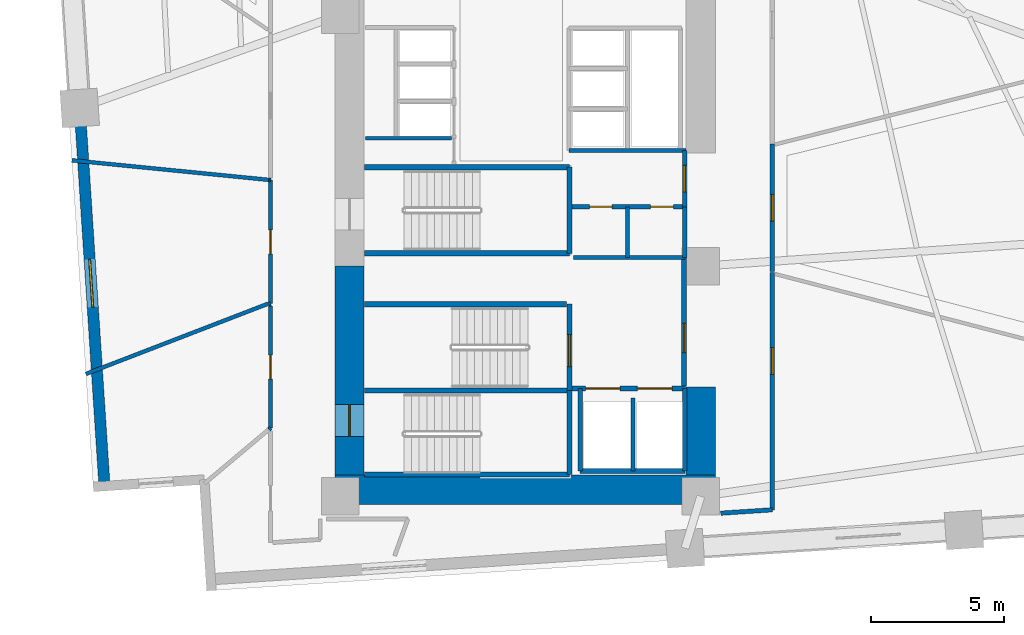
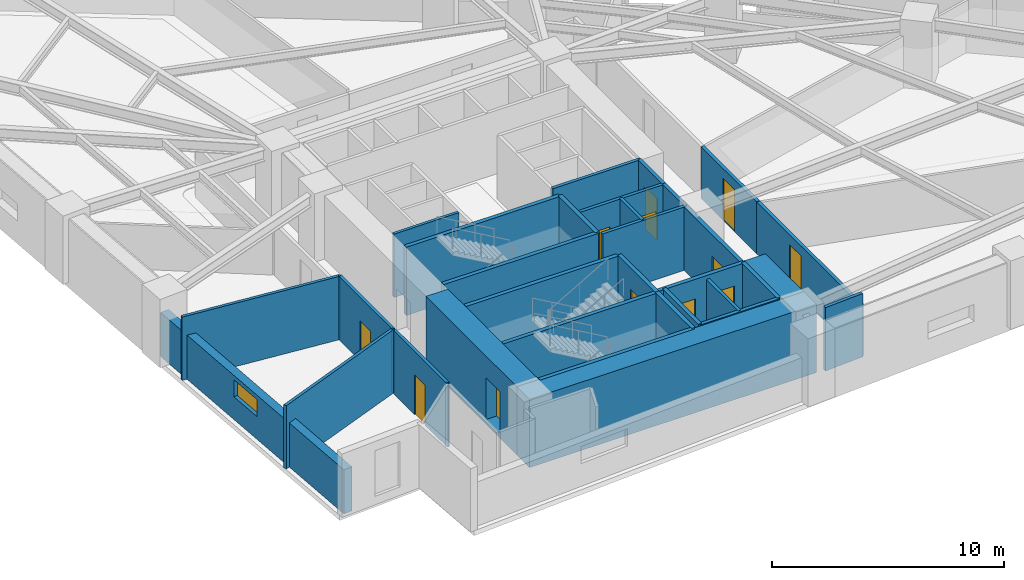
# One storey, part 12 of 16: 35 walls, 12 doors, 1 window, 13 openings.
"""IFC4 building model written with IfcOpenShell, lengths in metres."""

from ifc_helpers import new_model, si_unit, direction, frame, frame_2d, origin, place, context, subcontext, project, spatial, rectangle, extrude, material, layer, layer_set, type_object, element, fill, save


model = new_model("IFC4")

# Units and contexts
model_context = context("Model", 3, precision=1e-05, world=origin(), true_north=direction((0.0, 1.0)))
body_context = subcontext(model_context, "Body", "Model", "MODEL_VIEW")
ifc_project = project(units=[si_unit("LENGTHUNIT", "METRE"), si_unit("AREAUNIT", "SQUARE_METRE"), si_unit("VOLUMEUNIT", "CUBIC_METRE"), si_unit("PLANEANGLEUNIT", "RADIAN"), si_unit("MASSUNIT", "GRAM", prefix="KILO")], contexts=[model_context])

# Site, building, storey
site_placement = place(None, origin())
site = spatial("IfcSite", under=ifc_project, at=site_placement, CompositionType="ELEMENT")
building_placement = place(site_placement, origin())
building = spatial("IfcBuilding", under=site, at=building_placement, Name="Narakoshi Arena Tower", CompositionType="ELEMENT")
storey_placement = place(building_placement, frame((0.0, 0.0, 66.89990234375)))
storey = spatial("IfcBuildingStorey", under=building, at=storey_placement, Name="L17", CompositionType="ELEMENT", Elevation=66.89990234375)

# Wall, opening, door
ifc_material_1 = material(Name="Concrete C60/75", Category="concrete")
ifc_layer_1 = layer(ifc_material_1, 1.10009765625)
ifc_layer_set_1 = layer_set([ifc_layer_1], Name="Concrete C60/75")
wall_type_1 = type_object("IfcWallType", Name="WL-CORE-1100", PredefinedType="SHEAR", material=ifc_layer_set_1)
wall_1_placement = place(storey_placement, frame((72.35009765625, 35.5, -0.260009765625), z_axis=(0.0, 0.0, 1.0), x_axis=(0.0, 1.0, 0.0)))
wall_1 = element("IfcWall", 1, at=wall_1_placement, inside=storey, type_object=wall_type_1, Name="L17 Central Core Shear Wall CW-APX-W", PredefinedType="SHEAR", context=body_context, shape_type="SweptSolid", body=[
    extrude(rectangle(XDim=7.85009765625, YDim=1.10009765625, at=frame_2d((3.925048828125, 0.0))), origin(), (0.0, 0.0, 1.0), 3.60009765625),
])
opening_1_placement = place(wall_1_placement, frame((1.449951171875, 0.0, 0.260009765625)))
opening_1 = element("IfcOpeningElement", 2, at=opening_1_placement, cuts=wall_1, Name="Opening D-03", PredefinedType="OPENING", context=body_context, shape_type="SweptSolid", body=[
    extrude(rectangle(XDim=1.199951171875, YDim=2.199951171875, at=frame_2d((0.60009765625, 1.10009765625))), frame((0.0, 0.56005859375, 0.0), z_axis=(0.0, -1.0, 0.0), x_axis=(1.0, 0.0, 0.0)), (0.0, 0.0, 1.0), 1.1201171875),
])
ifc_material_2 = material(Name="Painted galvanized steel", Category="steel")
door_type_1 = type_object("IfcDoorType", Name="DR-STR-1200", OperationType="NOTDEFINED", PredefinedType="USERDEFINED", material=ifc_material_2)
door_1_placement = place(opening_1_placement, frame((1.199951171875, 0.0, 0.0), z_axis=(0.0, 0.0, 1.0), x_axis=(-1.0, 0.0, 0.0)))
door_1 = element("IfcDoor", 3, at=door_1_placement, inside=storey, type_object=door_type_1, Name="DR-L17-001", ObjectType="EXITDOOR", OperationType="SINGLE_SWING_LEFT", OverallHeight=2.199951171875, OverallWidth=1.199951171875, PredefinedType="USERDEFINED", context=body_context, shape_type="SweptSolid", body=[
    extrude(rectangle(XDim=1.199951171875, YDim=2.199951171875, at=frame_2d((0.60009765625, 1.10009765625))), frame((0.0, 0.02490234375, 0.0), z_axis=(0.0, -1.0, 0.0), x_axis=(1.0, 0.0, 0.0)), (0.0, 0.0, 1.0), 0.050048828125),
])
fill(opening_1, door_1)

# Walls
wall_2_placement = place(storey_placement, frame((71.800048828125, 34.949951171875, -0.260009765625), z_axis=(0.0, 0.0, 1.0), x_axis=(1.0, 0.0, 0.0)))
element("IfcWall", 4, at=wall_2_placement, inside=storey, type_object=wall_type_1, Name="L17 Central Core Shear Wall CW-APX-S", PredefinedType="SHEAR", context=body_context, shape_type="SweptSolid", body=[
    extrude(rectangle(XDim=14.300048828125, YDim=1.10009765625, at=frame_2d((7.14990234375, 0.0))), origin(), (0.0, 0.0, 1.0), 3.60009765625),
])
wall_3_placement = place(storey_placement, frame((85.550048828125, 35.5, -0.260009765625), z_axis=(0.0, 0.0, 1.0), x_axis=(0.0, 1.0, 0.0)))
element("IfcWall", 5, at=wall_3_placement, inside=storey, type_object=wall_type_1, Name="L17 Central Core Shear Wall CW-APX-E", PredefinedType="SHEAR", context=body_context, shape_type="SweptSolid", body=[
    extrude(rectangle(XDim=3.300048828125, YDim=1.10009765625, at=frame_2d((1.64990234375, 0.0))), origin(), (0.0, 0.0, 1.0), 3.60009765625),
])

# Wall, opening, door
ifc_material_3 = material(Name="Gypsum plasterboard fire-rated partition")
ifc_layer_2 = layer(ifc_material_3, 0.1650390625)
ifc_layer_set_2 = layer_set([ifc_layer_2], Name="Gypsum plasterboard fire-rated partition")
wall_type_2 = type_object("IfcWallType", Name="WL-CORR-165", PredefinedType="PARTITIONING", material=ifc_layer_set_2)
wall_4_placement = place(storey_placement, frame((84.949951171875, 45.580078125, 0.0), z_axis=(0.0, 0.0, 1.0), x_axis=(0.0, 1.0, 0.0)))
wall_4 = element("IfcWall", 6, at=wall_4_placement, inside=storey, type_object=wall_type_2, Name="L17 Core Wall CPAS-E", PredefinedType="PARTITIONING", context=body_context, shape_type="SweptSolid", body=[
    extrude(rectangle(XDim=2.119873046875, YDim=0.1650390625, at=frame_2d((1.06005859375, 0.0))), origin(), (0.0, 0.0, 1.0), 3.340087890625),
])
opening_2_placement = place(wall_4_placement, frame((0.56005859375, 0.0, 0.0)))
opening_2 = element("IfcOpeningElement", 7, at=opening_2_placement, cuts=wall_4, Name="Opening D-06", PredefinedType="OPENING", context=body_context, shape_type="SweptSolid", body=[
    extrude(rectangle(XDim=1.0, YDim=2.199951171875, at=frame_2d((0.5, 1.10009765625))), frame((0.0, 0.092529296875, 0.0), z_axis=(0.0, -1.0, 0.0), x_axis=(1.0, 0.0, 0.0)), (0.0, 0.0, 1.0), 0.18505859375),
])
ifc_material_4 = material(Name="Stained oak solid-core timber", Category="wood")
door_type_2 = type_object("IfcDoorType", Name="DR-OFF-1000", OperationType="NOTDEFINED", PredefinedType="DOOR", material=ifc_material_4)
door_2_placement = place(opening_2_placement, frame((1.0, 0.0, 0.0), z_axis=(0.0, 0.0, 1.0), x_axis=(-1.0, 0.0, 0.0)))
door_2 = element("IfcDoor", 8, at=door_2_placement, inside=storey, type_object=door_type_2, Name="DR-L17-007", OperationType="SINGLE_SWING_LEFT", OverallHeight=2.199951171875, OverallWidth=1.0, PredefinedType="DOOR", context=body_context, shape_type="SweptSolid", body=[
    extrude(rectangle(XDim=1.0, YDim=2.199951171875, at=frame_2d((0.5, 1.10009765625))), frame((0.0, 0.02490234375, 0.0), z_axis=(0.0, -1.0, 0.0), x_axis=(1.0, 0.0, 0.0)), (0.0, 0.0, 1.0), 0.050048828125),
])
fill(opening_2, door_2)

wall_5_placement = place(storey_placement, frame((88.237548828125, 34.193603515625, 0.0), z_axis=(0.0, 0.0, 1.0), x_axis=(0.0, 1.0, 0.0)))
wall_5 = element("IfcWall", 9, at=wall_5_placement, inside=storey, type_object=wall_type_2, Name="L17 Corridor Partition 04-1", PredefinedType="PARTITIONING", context=body_context, shape_type="SweptSolid", body=[
    extrude(rectangle(XDim=8.927001953125, YDim=0.1650390625, at=frame_2d((4.46337890625, 0.0))), origin(), (0.0, 0.0, 1.0), 2.72509765625),
])
opening_3_placement = place(wall_5_placement, frame((5.092529296875, 0.0, 0.0)))
opening_3 = element("IfcOpeningElement", 10, at=opening_3_placement, cuts=wall_5, Name="Opening D-06", PredefinedType="OPENING", context=body_context, shape_type="SweptSolid", body=[
    extrude(rectangle(XDim=1.0, YDim=2.199951171875, at=frame_2d((0.5, 1.10009765625))), frame((0.0, 0.092529296875, 0.0), z_axis=(0.0, -1.0, 0.0), x_axis=(1.0, 0.0, 0.0)), (0.0, 0.0, 1.0), 0.18505859375),
])
door_3_placement = place(opening_3_placement, frame((1.0, 0.0, 0.0), z_axis=(0.0, 0.0, 1.0), x_axis=(-1.0, 0.0, 0.0)))
door_3 = element("IfcDoor", 11, at=door_3_placement, inside=storey, type_object=door_type_2, Name="DR-L17-017", OperationType="SINGLE_SWING_RIGHT", OverallHeight=2.199951171875, OverallWidth=1.0, PredefinedType="DOOR", context=body_context, shape_type="SweptSolid", body=[
    extrude(rectangle(XDim=1.0, YDim=2.199951171875, at=frame_2d((0.5, 1.10009765625))), frame((0.0, 0.02490234375, 0.0), z_axis=(0.0, -1.0, 0.0), x_axis=(1.0, 0.0, 0.0)), (0.0, 0.0, 1.0), 0.050048828125),
])
fill(opening_3, door_3)

# Wall
wall_6_placement = place(storey_placement, frame((86.300048828125, 34.066650390625, 0.0), z_axis=(0.0, 0.0, 1.0), x_axis=(0.997860177936, 0.065383983433, 0.0)))
element("IfcWall", 12, at=wall_6_placement, inside=storey, type_object=wall_type_2, Name="L17 Corridor Partition 04-2", PredefinedType="PARTITIONING", context=body_context, shape_type="SweptSolid", body=[
    extrude(rectangle(XDim=1.941650390625, YDim=0.1650390625, at=frame_2d((0.970703125, 0.0))), origin(), (0.0, 0.0, 1.0), 3.340087890625),
])

# Wall, opening, door
wall_7_placement = place(storey_placement, frame((88.237548828125, 43.145263671875, 0.0), z_axis=(0.0, 0.0, 1.0), x_axis=(0.0, 1.0, 0.0)))
wall_7 = element("IfcWall", 13, at=wall_7_placement, inside=storey, type_object=wall_type_2, Name="L17 Corridor Partition 05-1", PredefinedType="PARTITIONING", context=body_context, shape_type="SweptSolid", body=[
    extrude(rectangle(XDim=4.78662109375, YDim=0.1650390625, at=frame_2d((2.393310546875, 0.0))), origin(), (0.0, 0.0, 1.0), 2.72509765625),
])
opening_4_placement = place(wall_7_placement, frame((1.893310546875, 0.0, 0.0)))
opening_4 = element("IfcOpeningElement", 14, at=opening_4_placement, cuts=wall_7, Name="Opening D-06", PredefinedType="OPENING", context=body_context, shape_type="SweptSolid", body=[
    extrude(rectangle(XDim=1.0, YDim=2.199951171875, at=frame_2d((0.5, 1.10009765625))), frame((0.0, 0.092529296875, 0.0), z_axis=(0.0, -1.0, 0.0), x_axis=(1.0, 0.0, 0.0)), (0.0, 0.0, 1.0), 0.18505859375),
])
door_4_placement = place(opening_4_placement, frame((1.0, 0.0, 0.0), z_axis=(0.0, 0.0, 1.0), x_axis=(-1.0, 0.0, 0.0)))
door_4 = element("IfcDoor", 15, at=door_4_placement, inside=storey, type_object=door_type_2, Name="DR-L17-018", OperationType="SINGLE_SWING_LEFT", OverallHeight=2.199951171875, OverallWidth=1.0, PredefinedType="DOOR", context=body_context, shape_type="SweptSolid", body=[
    extrude(rectangle(XDim=1.0, YDim=2.199951171875, at=frame_2d((0.5, 1.10009765625))), frame((0.0, 0.02490234375, 0.0), z_axis=(0.0, -1.0, 0.0), x_axis=(1.0, 0.0, 0.0)), (0.0, 0.0, 1.0), 0.050048828125),
])
fill(opening_4, door_4)

# Wall, opening, window
ifc_material_5 = material(Name="Precast concrete C45/55", Category="concrete")
ifc_layer_3 = layer(ifc_material_5, 0.419921875)
ifc_layer_set_3 = layer_set([ifc_layer_3], Name="Precast concrete C45/55")
wall_type_3 = type_object("IfcWallType", Name="WL-POD-420", PredefinedType="SOLIDWALL", material=ifc_layer_set_3)
wall_8_placement = place(storey_placement, frame((62.210205078125, 49.294921875, 0.0), z_axis=(0.0, 0.0, 1.0), x_axis=(0.065396027757, -0.997859388668, 0.0)))
wall_8 = element("IfcWall", 16, at=wall_8_placement, inside=storey, type_object=wall_type_3, Name="L17 Architectural Concrete Facade Wall LEGB-3", PredefinedType="SOLIDWALL", context=body_context, shape_type="SweptSolid", body=[
    extrude(rectangle(XDim=14.242431640625, YDim=0.419921875, at=frame_2d((7.12109375, 0.0))), origin(), (0.0, 0.0, 1.0), 2.3251953125),
])
opening_5_placement = place(wall_8_placement, frame((5.699951171875, 0.0, 1.199951171875)))
opening_5 = element("IfcOpeningElement", 17, at=opening_5_placement, cuts=wall_8, Name="Opening WN-02", PredefinedType="OPENING", context=body_context, shape_type="SweptSolid", body=[
    extrude(rectangle(XDim=1.800048828125, YDim=0.89990234375, at=frame_2d((0.89990234375, 0.449951171875))), frame((0.0, 0.219970703125, 0.0), z_axis=(0.0, -1.0, 0.0), x_axis=(1.0, 0.0, 0.0)), (0.0, 0.0, 1.0), 0.43994140625),
])
ifc_material_6 = material(Name="Bronze-tinted low-E laminated glass", Category="glass")
window_type = type_object("IfcWindowType", Name="WIN-SLT-18x09", PartitioningType="SINGLE_PANEL", PredefinedType="WINDOW", material=ifc_material_6)
window_placement = place(opening_5_placement, origin())
window = element("IfcWindow", 18, at=window_placement, inside=storey, type_object=window_type, Name="L17 LEGB3 Horizontal Slot Window 1", OverallHeight=0.89990234375, OverallWidth=1.800048828125, PartitioningType="SINGLE_PANEL", PredefinedType="WINDOW", context=body_context, shape_type="SweptSolid", body=[
    extrude(rectangle(XDim=1.800048828125, YDim=0.89990234375, at=frame_2d((0.89990234375, 0.449951171875))), frame((0.0, 0.030029296875, 0.0), z_axis=(0.0, -1.0, 0.0), x_axis=(1.0, 0.0, 0.0)), (0.0, 0.0, 1.0), 0.06005859375),
])
fill(opening_5, window)

# Walls
ifc_material_7 = material(Name="Concrete C40/50", Category="concrete")
ifc_layer_4 = layer(ifc_material_7, 0.280029296875)
ifc_layer_set_4 = layer_set([ifc_layer_4], Name="Concrete C40/50")
wall_type_4 = type_object("IfcWallType", Name="WL-RISER-280", PredefinedType="PLUMBINGWALL", material=ifc_layer_set_4)
wall_9_placement = place(storey_placement, frame((83.0, 35.64990234375, 0.0), z_axis=(0.0, 0.0, 1.0), x_axis=(0.0, 1.0, 0.0)))
element("IfcWall", 19, at=wall_9_placement, inside=storey, type_object=wall_type_4, Name="L17 Core Wall FF-DIV", PredefinedType="PLUMBINGWALL", context=body_context, shape_type="SweptSolid", body=[
    extrude(rectangle(XDim=2.75, YDim=0.159912109375, at=frame_2d((1.375, 0.0))), origin(), (0.0, 0.0, 1.0), 3.340087890625),
])
wall_10_placement = place(storey_placement, frame((84.949951171875, 43.679931640625, 0.0), z_axis=(0.0, 0.0, 1.0), x_axis=(0.0, 1.0, 0.0)))
element("IfcWall", 20, at=wall_10_placement, inside=storey, type_object=wall_type_4, Name="L17 Core Wall RSR-E", PredefinedType="PLUMBINGWALL", context=body_context, shape_type="SweptSolid", body=[
    extrude(rectangle(XDim=1.900146484375, YDim=0.1650390625, at=frame_2d((0.9501953125, 0.0))), origin(), (0.0, 0.0, 1.0), 3.340087890625),
])

# Wall, openings, doors
wall_11_placement = place(storey_placement, frame((80.719970703125, 45.580078125, 0.0), z_axis=(0.0, 0.0, 1.0), x_axis=(1.0, 0.0, 0.0)))
wall_11 = element("IfcWall", 21, at=wall_11_placement, inside=storey, type_object=wall_type_4, Name="L17 Core Wall RSR-N", PredefinedType="PLUMBINGWALL", context=body_context, shape_type="SweptSolid", body=[
    extrude(rectangle(XDim=4.22998046875, YDim=0.159912109375, at=frame_2d((2.114990234375, 0.0))), origin(), (0.0, 0.0, 1.0), 3.340087890625),
])
opening_6_placement = place(wall_11_placement, frame((0.64990234375, 0.0, 0.0)))
opening_6 = element("IfcOpeningElement", 22, at=opening_6_placement, cuts=wall_11, Name="Opening D-10", PredefinedType="OPENING", context=body_context, shape_type="SweptSolid", body=[
    extrude(rectangle(XDim=0.85009765625, YDim=2.050048828125, at=frame_2d((0.425048828125, 1.02490234375))), frame((0.0, 0.08984375, 0.0), z_axis=(0.0, -1.0, 0.0), x_axis=(1.0, 0.0, 0.0)), (0.0, 0.0, 1.0), 0.179931640625),
])
opening_7_placement = place(wall_11_placement, frame((2.949951171875, 0.0, 0.0)))
opening_7 = element("IfcOpeningElement", 23, at=opening_7_placement, cuts=wall_11, Name="Opening D-10", PredefinedType="OPENING", context=body_context, shape_type="SweptSolid", body=[
    extrude(rectangle(XDim=0.85009765625, YDim=2.050048828125, at=frame_2d((0.425048828125, 1.02490234375))), frame((0.0, 0.08984375, 0.0), z_axis=(0.0, -1.0, 0.0), x_axis=(1.0, 0.0, 0.0)), (0.0, 0.0, 1.0), 0.179931640625),
])
door_type_3 = type_object("IfcDoorType", Name="DR-RSR-850", OperationType="NOTDEFINED", PredefinedType="DOOR", material=ifc_material_2)
door_5_placement = place(opening_6_placement, frame((0.85009765625, 0.0, 0.0), z_axis=(0.0, 0.0, 1.0), x_axis=(-1.0, 0.0, 0.0)))
door_5 = element("IfcDoor", 24, at=door_5_placement, inside=storey, type_object=door_type_3, Name="DR-L17-008", OperationType="SINGLE_SWING_LEFT", OverallHeight=2.050048828125, OverallWidth=0.85009765625, PredefinedType="DOOR", context=body_context, shape_type="SweptSolid", body=[
    extrude(rectangle(XDim=0.85009765625, YDim=2.050048828125, at=frame_2d((0.425048828125, 1.02490234375))), frame((0.0, 0.02490234375, 0.0), z_axis=(0.0, -1.0, 0.0), x_axis=(1.0, 0.0, 0.0)), (0.0, 0.0, 1.0), 0.050048828125),
])
fill(opening_6, door_5)
door_6_placement = place(opening_7_placement, frame((0.85009765625, 0.0, 0.0), z_axis=(0.0, 0.0, 1.0), x_axis=(-1.0, 0.0, 0.0)))
door_6 = element("IfcDoor", 25, at=door_6_placement, inside=storey, type_object=door_type_3, Name="DR-L17-009", OperationType="SINGLE_SWING_RIGHT", OverallHeight=2.050048828125, OverallWidth=0.85009765625, PredefinedType="DOOR", context=body_context, shape_type="SweptSolid", body=[
    extrude(rectangle(XDim=0.85009765625, YDim=2.050048828125, at=frame_2d((0.425048828125, 1.02490234375))), frame((0.0, 0.02490234375, 0.0), z_axis=(0.0, -1.0, 0.0), x_axis=(1.0, 0.0, 0.0)), (0.0, 0.0, 1.0), 0.050048828125),
])
fill(opening_7, door_6)

# Walls
wall_12_placement = place(storey_placement, frame((80.760009765625, 43.679931640625, 0.0), z_axis=(0.0, 0.0, 1.0), x_axis=(1.0, 0.0, 0.0)))
element("IfcWall", 26, at=wall_12_placement, inside=storey, type_object=wall_type_4, Name="L17 Core Wall RSR-S", PredefinedType="PLUMBINGWALL", context=body_context, shape_type="SweptSolid", body=[
    extrude(rectangle(XDim=4.18994140625, YDim=0.159912109375, at=frame_2d((2.094970703125, 0.0))), origin(), (0.0, 0.0, 1.0), 3.340087890625),
])
wall_13_placement = place(storey_placement, frame((82.800048828125, 43.679931640625, 0.0), z_axis=(0.0, 0.0, 1.0), x_axis=(0.0, 1.0, 0.0)))
element("IfcWall", 27, at=wall_13_placement, inside=storey, type_object=wall_type_4, Name="L17 Core Wall RSR-M", PredefinedType="PLUMBINGWALL", context=body_context, shape_type="SweptSolid", body=[
    extrude(rectangle(XDim=1.900146484375, YDim=0.159912109375, at=frame_2d((0.9501953125, 0.0))), origin(), (0.0, 0.0, 1.0), 3.340087890625),
])
wall_14_placement = place(storey_placement, frame((72.949951171875, 48.159912109375, 0.0), z_axis=(0.0, 0.0, 1.0), x_axis=(1.0, 0.0, 0.0)))
element("IfcWall", 28, at=wall_14_placement, inside=storey, type_object=wall_type_4, Name="L17 Core Wall LR-S0", PredefinedType="PLUMBINGWALL", context=body_context, shape_type="SweptSolid", body=[
    extrude(rectangle(XDim=3.239990234375, YDim=0.139892578125, at=frame_2d((1.6201171875, 0.0))), origin(), (0.0, 0.0, 1.0), 3.340087890625),
])
ifc_material_8 = material(Name="Concrete C50/60", Category="concrete")
ifc_layer_5 = layer(ifc_material_8, 0.35009765625)
ifc_layer_set_5 = layer_set([ifc_layer_5], Name="Concrete C50/60")
wall_type_5 = type_object("IfcWallType", Name="WL-SHAFT-350", PredefinedType="SOLIDWALL", material=ifc_layer_set_5)
for number, where, z_axis, x_axis, name in (
    (29, (72.919921875, 35.52001953125, -0.260009765625), (0.0, 0.0, 1.0), (1.0, 0.0, 0.0), "L17 Core Wall ST1-S"),
    (30, (72.919921875, 38.675048828125, -0.260009765625), (0.0, 0.0, 1.0), (1.0, 0.0, 0.0), "L17 Core Wall ST12-DIV"),
):
    element("IfcWall", number, at=place(storey_placement, frame(where, z_axis=z_axis, x_axis=x_axis)), inside=storey, type_object=wall_type_5, Name=name, PredefinedType="SOLIDWALL", context=body_context, shape_type="SweptSolid", body=[
        extrude(rectangle(XDim=7.7001953125, YDim=0.199951171875, at=frame_2d((3.85009765625, 0.0))), origin(), (0.0, 0.0, 1.0), 3.60009765625),
    ])
wall_15_placement = place(storey_placement, frame((80.6201171875, 35.52001953125, -0.260009765625), z_axis=(0.0, 0.0, 1.0), x_axis=(0.0, 1.0, 0.0)))
element("IfcWall", 31, at=wall_15_placement, inside=storey, type_object=wall_type_5, Name="L17 Core Wall ST1-E", PredefinedType="SOLIDWALL", context=body_context, shape_type="SweptSolid", body=[
    extrude(rectangle(XDim=3.155029296875, YDim=0.199951171875, at=frame_2d((1.57763671875, 0.0))), origin(), (0.0, 0.0, 1.0), 3.60009765625),
])

# Wall, opening, door
wall_16_placement = place(storey_placement, frame((80.6201171875, 38.675048828125, -0.260009765625), z_axis=(0.0, 0.0, 1.0), x_axis=(0.0, 1.0, 0.0)))
wall_16 = element("IfcWall", 32, at=wall_16_placement, inside=storey, type_object=wall_type_5, Name="L17 Core Wall ST2-E", PredefinedType="SOLIDWALL", context=body_context, shape_type="SweptSolid", body=[
    extrude(rectangle(XDim=3.244873046875, YDim=0.199951171875, at=frame_2d((1.62255859375, 0.0))), origin(), (0.0, 0.0, 1.0), 3.60009765625),
])
opening_8_placement = place(wall_16_placement, frame((0.89990234375, 0.0, 0.260009765625)))
opening_8 = element("IfcOpeningElement", 33, at=opening_8_placement, cuts=wall_16, Name="Opening D-03", PredefinedType="OPENING", context=body_context, shape_type="SweptSolid", body=[
    extrude(rectangle(XDim=1.199951171875, YDim=2.199951171875, at=frame_2d((0.60009765625, 1.10009765625))), frame((0.0, 0.10986328125, 0.0), z_axis=(0.0, -1.0, 0.0), x_axis=(1.0, 0.0, 0.0)), (0.0, 0.0, 1.0), 0.219970703125),
])
door_7_placement = place(opening_8_placement, origin())
door_7 = element("IfcDoor", 34, at=door_7_placement, inside=storey, type_object=door_type_1, Name="DR-L17-002", ObjectType="EXITDOOR", OperationType="SINGLE_SWING_RIGHT", OverallHeight=2.199951171875, OverallWidth=1.199951171875, PredefinedType="USERDEFINED", context=body_context, shape_type="SweptSolid", body=[
    extrude(rectangle(XDim=1.199951171875, YDim=2.199951171875, at=frame_2d((0.60009765625, 1.10009765625))), frame((0.0, 0.02490234375, 0.0), z_axis=(0.0, -1.0, 0.0), x_axis=(1.0, 0.0, 0.0)), (0.0, 0.0, 1.0), 0.050048828125),
])
fill(opening_8, door_7)

# Wall, openings, doors
wall_17_placement = place(storey_placement, frame((80.719970703125, 38.75, 0.0), z_axis=(0.0, 0.0, 1.0), x_axis=(1.0, 0.0, 0.0)))
wall_17 = element("IfcWall", 35, at=wall_17_placement, inside=storey, type_object=wall_type_5, Name="L17 Core Wall FF-N", PredefinedType="SOLIDWALL", context=body_context, shape_type="SweptSolid", body=[
    extrude(rectangle(XDim=4.260009765625, YDim=0.199951171875, at=frame_2d((2.1298828125, 0.0))), origin(), (0.0, 0.0, 1.0), 3.340087890625),
])
opening_9_placement = place(wall_17_placement, frame((0.5, 0.0, 0.0)))
opening_9 = element("IfcOpeningElement", 36, at=opening_9_placement, cuts=wall_17, Name="Opening LD-02", PredefinedType="OPENING", context=body_context, shape_type="SweptSolid", body=[
    extrude(rectangle(XDim=1.300048828125, YDim=2.300048828125, at=frame_2d((0.64990234375, 1.14990234375))), frame((0.0, 0.10986328125, 0.0), z_axis=(0.0, -1.0, 0.0), x_axis=(1.0, 0.0, 0.0)), (0.0, 0.0, 1.0), 0.219970703125),
])
opening_10_placement = place(wall_17_placement, frame((2.449951171875, 0.0, 0.0)))
opening_10 = element("IfcOpeningElement", 37, at=opening_10_placement, cuts=wall_17, Name="Opening LD-02", PredefinedType="OPENING", context=body_context, shape_type="SweptSolid", body=[
    extrude(rectangle(XDim=1.300048828125, YDim=2.300048828125, at=frame_2d((0.64990234375, 1.14990234375))), frame((0.0, 0.10986328125, 0.0), z_axis=(0.0, -1.0, 0.0), x_axis=(1.0, 0.0, 0.0)), (0.0, 0.0, 1.0), 0.219970703125),
])
ifc_material_9 = material(Name="Brushed bronze stainless steel", Category="steel")
door_type_4 = type_object("IfcDoorType", Name="DR-LFT-1300", OperationType="DOUBLE_DOOR_SLIDING", PredefinedType="DOOR", material=ifc_material_9)
door_8_placement = place(opening_9_placement, origin())
door_8 = element("IfcDoor", 38, at=door_8_placement, inside=storey, type_object=door_type_4, Name="DR-L17-003", OperationType="DOUBLE_DOOR_SLIDING", OverallHeight=2.300048828125, OverallWidth=1.300048828125, PredefinedType="DOOR", context=body_context, shape_type="SweptSolid", body=[
    extrude(rectangle(XDim=1.300048828125, YDim=2.300048828125, at=frame_2d((0.64990234375, 1.14990234375))), frame((0.0, 0.02490234375, 0.0), z_axis=(0.0, -1.0, 0.0), x_axis=(1.0, 0.0, 0.0)), (0.0, 0.0, 1.0), 0.050048828125),
])
fill(opening_9, door_8)
door_9_placement = place(opening_10_placement, origin())
door_9 = element("IfcDoor", 39, at=door_9_placement, inside=storey, type_object=door_type_4, Name="DR-L17-004", OperationType="DOUBLE_DOOR_SLIDING", OverallHeight=2.300048828125, OverallWidth=1.300048828125, PredefinedType="DOOR", context=body_context, shape_type="SweptSolid", body=[
    extrude(rectangle(XDim=1.300048828125, YDim=2.300048828125, at=frame_2d((0.64990234375, 1.14990234375))), frame((0.0, 0.02490234375, 0.0), z_axis=(0.0, -1.0, 0.0), x_axis=(1.0, 0.0, 0.0)), (0.0, 0.0, 1.0), 0.050048828125),
])
fill(opening_10, door_9)

# Walls
for number, where, z_axis, x_axis, name in (
    (40, (84.949951171875, 35.64990234375, 0.0), (0.0, 0.0, 1.0), (0.0, 1.0, 0.0), "L17 Core Wall FF-E"),
    (41, (81.02001953125, 35.64990234375, 0.0), (0.0, 0.0, 1.0), (0.0, 1.0, 0.0), "L17 Core Wall FF-W"),
):
    element("IfcWall", number, at=place(storey_placement, frame(where, z_axis=z_axis, x_axis=x_axis)), inside=storey, type_object=wall_type_5, Name=name, PredefinedType="SOLIDWALL", context=body_context, shape_type="SweptSolid", body=[
        extrude(rectangle(XDim=3.10009765625, YDim=0.179931640625, at=frame_2d((1.550048828125, 0.0))), origin(), (0.0, 0.0, 1.0), 3.340087890625),
    ])
wall_18_placement = place(storey_placement, frame((81.02001953125, 35.64990234375, 0.0), z_axis=(0.0, 0.0, 1.0), x_axis=(1.0, 0.0, 0.0)))
element("IfcWall", 42, at=wall_18_placement, inside=storey, type_object=wall_type_5, Name="L17 Core Wall FF-S", PredefinedType="SOLIDWALL", context=body_context, shape_type="SweptSolid", body=[
    extrude(rectangle(XDim=3.929931640625, YDim=0.179931640625, at=frame_2d((1.96484375, 0.0))), origin(), (0.0, 0.0, 1.0), 3.340087890625),
])

# Wall, opening, door
wall_19_placement = place(storey_placement, frame((84.919921875, 38.85009765625, 0.0), z_axis=(0.0, 0.0, 1.0), x_axis=(0.0, 1.0, 0.0)))
wall_19 = element("IfcWall", 43, at=wall_19_placement, inside=storey, type_object=wall_type_5, Name="L17 Core Wall FFLOB-E", PredefinedType="SOLIDWALL", context=body_context, shape_type="SweptSolid", body=[
    extrude(rectangle(XDim=4.829833984375, YDim=0.199951171875, at=frame_2d((2.4150390625, 0.0))), origin(), (0.0, 0.0, 1.0), 3.340087890625),
])
opening_11_placement = place(wall_19_placement, frame((1.25, 0.0, 0.0)))
opening_11 = element("IfcOpeningElement", 44, at=opening_11_placement, cuts=wall_19, Name="Opening D-04", PredefinedType="OPENING", context=body_context, shape_type="SweptSolid", body=[
    extrude(rectangle(XDim=1.10009765625, YDim=2.199951171875, at=frame_2d((0.550048828125, 1.10009765625))), frame((0.0, 0.10986328125, 0.0), z_axis=(0.0, -1.0, 0.0), x_axis=(1.0, 0.0, 0.0)), (0.0, 0.0, 1.0), 0.219970703125),
])
door_type_5 = type_object("IfcDoorType", Name="DR-FFL-1100", OperationType="NOTDEFINED", PredefinedType="DOOR", material=ifc_material_2)
door_10_placement = place(opening_11_placement, frame((1.10009765625, 0.0, 0.0), z_axis=(0.0, 0.0, 1.0), x_axis=(-1.0, 0.0, 0.0)))
door_10 = element("IfcDoor", 45, at=door_10_placement, inside=storey, type_object=door_type_5, Name="DR-L17-005", OperationType="SINGLE_SWING_RIGHT", OverallHeight=2.199951171875, OverallWidth=1.10009765625, PredefinedType="DOOR", context=body_context, shape_type="SweptSolid", body=[
    extrude(rectangle(XDim=1.10009765625, YDim=2.199951171875, at=frame_2d((0.550048828125, 1.10009765625))), frame((0.0, 0.02490234375, 0.0), z_axis=(0.0, -1.0, 0.0), x_axis=(1.0, 0.0, 0.0)), (0.0, 0.0, 1.0), 0.050048828125),
])
fill(opening_11, door_10)

# Walls
wall_20_placement = place(storey_placement, frame((72.919921875, 41.919921875, -0.260009765625), z_axis=(0.0, 0.0, 1.0), x_axis=(1.0, 0.0, 0.0)))
element("IfcWall", 46, at=wall_20_placement, inside=storey, type_object=wall_type_5, Name="L17 Core Wall ST2-N", PredefinedType="SOLIDWALL", context=body_context, shape_type="SweptSolid", body=[
    extrude(rectangle(XDim=7.580078125, YDim=0.199951171875, at=frame_2d((3.7900390625, 0.0))), origin(), (0.0, 0.0, 1.0), 3.60009765625),
])
for number, where, z_axis, x_axis, name in (
    (47, (72.919921875, 43.830078125, -0.260009765625), (0.0, 0.0, 1.0), (1.0, 0.0, 0.0), "L17 Core Wall ST3-S"),
    (48, (72.919921875, 47.070068359375, -0.260009765625), (0.0, 0.0, 1.0), (1.0, 0.0, 0.0), "L17 Core Wall ST3-N"),
):
    element("IfcWall", number, at=place(storey_placement, frame(where, z_axis=z_axis, x_axis=x_axis)), inside=storey, type_object=wall_type_5, Name=name, PredefinedType="SOLIDWALL", context=body_context, shape_type="SweptSolid", body=[
        extrude(rectangle(XDim=7.7001953125, YDim=0.199951171875, at=frame_2d((3.85009765625, 0.0))), origin(), (0.0, 0.0, 1.0), 3.60009765625),
    ])
wall_21_placement = place(storey_placement, frame((80.6201171875, 43.830078125, -0.260009765625), z_axis=(0.0, 0.0, 1.0), x_axis=(0.0, 1.0, 0.0)))
element("IfcWall", 49, at=wall_21_placement, inside=storey, type_object=wall_type_5, Name="L17 Core Wall ST3-E", PredefinedType="SOLIDWALL", context=body_context, shape_type="SweptSolid", body=[
    extrude(rectangle(XDim=3.239990234375, YDim=0.199951171875, at=frame_2d((1.6201171875, 0.0))), origin(), (0.0, 0.0, 1.0), 3.60009765625),
])
wall_22_placement = place(storey_placement, frame((80.60009765625, 47.699951171875, 0.0), z_axis=(0.0, 0.0, 1.0), x_axis=(1.0, 0.0, 0.0)))
element("IfcWall", 50, at=wall_22_placement, inside=storey, type_object=wall_type_5, Name="L17 Core Wall MR-S", PredefinedType="SOLIDWALL", context=body_context, shape_type="SweptSolid", body=[
    extrude(rectangle(XDim=4.39990234375, YDim=0.159912109375, at=frame_2d((2.199951171875, 0.0))), origin(), (0.0, 0.0, 1.0), 3.340087890625),
])

# Wall, opening, door
ifc_material_10 = material(Name="Moisture-resistant cement-board partition")
ifc_layer_6 = layer(ifc_material_10, 0.14501953125)
ifc_layer_set_6 = layer_set([ifc_layer_6], Name="Moisture-resistant cement-board partition")
wall_type_6 = type_object("IfcWallType", Name="WL-WET-145", PredefinedType="PARTITIONING", material=ifc_layer_set_6)
wall_23_placement = place(storey_placement, frame((69.3798828125, 46.586181640625, 0.0), z_axis=(0.0, 0.0, 1.0), x_axis=(0.0, -1.0, 0.0)))
wall_23 = element("IfcWall", 51, at=wall_23_placement, inside=storey, type_object=wall_type_6, Name="L17 Corridor Partition 01-1", PredefinedType="PARTITIONING", context=body_context, shape_type="SweptSolid", body=[
    extrude(rectangle(XDim=4.646484375, YDim=0.14501953125, at=frame_2d((2.3232421875, 0.0))), origin(), (0.0, 0.0, 1.0), 3.340087890625),
])
opening_12_placement = place(wall_23_placement, frame((1.873291015625, 0.0, 0.0)))
opening_12 = element("IfcOpeningElement", 52, at=opening_12_placement, cuts=wall_23, Name="Opening D-08", PredefinedType="OPENING", context=body_context, shape_type="SweptSolid", body=[
    extrude(rectangle(XDim=0.89990234375, YDim=2.10009765625, at=frame_2d((0.449951171875, 1.050048828125))), frame((0.0, 0.08251953125, 0.0), z_axis=(0.0, -1.0, 0.0), x_axis=(1.0, 0.0, 0.0)), (0.0, 0.0, 1.0), 0.1650390625),
])
ifc_material_11 = material(Name="Moisture-resistant laminate timber", Category="wood")
door_type_6 = type_object("IfcDoorType", Name="DR-WC-900", OperationType="NOTDEFINED", PredefinedType="DOOR", material=ifc_material_11)
door_11_placement = place(opening_12_placement, frame((0.89990234375, 0.0, 0.0), z_axis=(0.0, 0.0, 1.0), x_axis=(-1.0, 0.0, 0.0)))
door_11 = element("IfcDoor", 53, at=door_11_placement, inside=storey, type_object=door_type_6, Name="DR-L17-014", OperationType="SINGLE_SWING_RIGHT", OverallHeight=2.10009765625, OverallWidth=0.89990234375, PredefinedType="DOOR", context=body_context, shape_type="SweptSolid", body=[
    extrude(rectangle(XDim=0.89990234375, YDim=2.10009765625, at=frame_2d((0.449951171875, 1.050048828125))), frame((0.0, 0.02490234375, 0.0), z_axis=(0.0, -1.0, 0.0), x_axis=(1.0, 0.0, 0.0)), (0.0, 0.0, 1.0), 0.050048828125),
])
fill(opening_12, door_11)

# Walls
wall_24_placement = place(storey_placement, frame((69.3798828125, 41.939697265625, 0.0), z_axis=(0.0, 0.0, 1.0), x_axis=(-0.931074470314, -0.364829180205, 0.0)))
element("IfcWall", 54, at=wall_24_placement, inside=storey, type_object=wall_type_6, Name="L17 Corridor Partition 01-2", PredefinedType="PARTITIONING", context=body_context, shape_type="SweptSolid", body=[
    extrude(rectangle(XDim=0.064208984375, YDim=0.14501953125, at=frame_2d((0.0322265625, 0.0))), origin(), (0.0, 0.0, 1.0), 3.340087890625),
])
wall_25_placement = place(storey_placement, frame((69.320068359375, 46.5927734375, 0.0), z_axis=(0.0, 0.0, 1.0), x_axis=(0.993982288611, -0.109540905275, 0.0)))
element("IfcWall", 55, at=wall_25_placement, inside=storey, type_object=wall_type_6, Name="L17 Corridor Partition 01-3", PredefinedType="PARTITIONING", context=body_context, shape_type="SweptSolid", body=[
    extrude(rectangle(XDim=0.06005859375, YDim=0.14501953125, at=frame_2d((0.030029296875, 0.0))), origin(), (0.0, 0.0, 1.0), 3.340087890625),
])
wall_26_placement = place(storey_placement, frame((69.29541015625, 41.94140625, 0.0), z_axis=(0.0, 0.0, 1.0), x_axis=(-0.933042132364, -0.359767118056, 0.0)))
element("IfcWall", 56, at=wall_26_placement, inside=storey, type_object=wall_type_6, Name="L17 Inter-Room Partition 01-02", PredefinedType="PARTITIONING", context=body_context, shape_type="SweptSolid", body=[
    extrude(rectangle(XDim=7.347900390625, YDim=0.14501953125, at=frame_2d((3.673828125, 0.0))), origin(), (0.0, 0.0, 1.0), 3.340087890625),
])
wall_27_placement = place(storey_placement, frame((61.9130859375, 47.327880859375, 0.0), z_axis=(0.0, 0.0, 1.0), x_axis=(0.995104831016, -0.098824973, 0.0)))
element("IfcWall", 57, at=wall_27_placement, inside=storey, type_object=wall_type_6, Name="L17 Inter-Room Partition 01-09", PredefinedType="PARTITIONING", context=body_context, shape_type="SweptSolid", body=[
    extrude(rectangle(XDim=7.443359375, YDim=0.14501953125, at=frame_2d((3.7216796875, 0.0))), origin(), (0.0, 0.0, 1.0), 3.340087890625),
])

# Wall, opening, door
wall_28_placement = place(storey_placement, frame((69.3798828125, 41.84912109375, 0.0), z_axis=(0.0, 0.0, 1.0), x_axis=(0.0, -1.0, 0.0)))
wall_28 = element("IfcWall", 58, at=wall_28_placement, inside=storey, type_object=wall_type_6, Name="L17 Corridor Partition 02-1", PredefinedType="PARTITIONING", context=body_context, shape_type="SweptSolid", body=[
    extrude(rectangle(XDim=4.581787109375, YDim=0.14501953125, at=frame_2d((2.291015625, 0.0))), origin(), (0.0, 0.0, 1.0), 3.340087890625),
])
opening_13_placement = place(wall_28_placement, frame((1.8408203125, 0.0, 0.0)))
opening_13 = element("IfcOpeningElement", 59, at=opening_13_placement, cuts=wall_28, Name="Opening D-08", PredefinedType="OPENING", context=body_context, shape_type="SweptSolid", body=[
    extrude(rectangle(XDim=0.89990234375, YDim=2.10009765625, at=frame_2d((0.449951171875, 1.050048828125))), frame((0.0, 0.08251953125, 0.0), z_axis=(0.0, -1.0, 0.0), x_axis=(1.0, 0.0, 0.0)), (0.0, 0.0, 1.0), 0.1650390625),
])
door_12_placement = place(opening_13_placement, frame((0.89990234375, 0.0, 0.0), z_axis=(0.0, 0.0, 1.0), x_axis=(-1.0, 0.0, 0.0)))
door_12 = element("IfcDoor", 60, at=door_12_placement, inside=storey, type_object=door_type_6, Name="DR-L17-015", OperationType="SINGLE_SWING_LEFT", OverallHeight=2.10009765625, OverallWidth=0.89990234375, PredefinedType="DOOR", context=body_context, shape_type="SweptSolid", body=[
    extrude(rectangle(XDim=0.89990234375, YDim=2.10009765625, at=frame_2d((0.449951171875, 1.050048828125))), frame((0.0, 0.02490234375, 0.0), z_axis=(0.0, -1.0, 0.0), x_axis=(1.0, 0.0, 0.0)), (0.0, 0.0, 1.0), 0.050048828125),
])
fill(opening_13, door_12)

# Wall
wall_29_placement = place(storey_placement, frame((69.3798828125, 37.267333984375, 0.0), z_axis=(0.0, 0.0, 1.0), x_axis=(-0.747072750935, -0.664742284506, 0.0)))
element("IfcWall", 61, at=wall_29_placement, inside=storey, type_object=wall_type_6, Name="L17 Corridor Partition 02-2", PredefinedType="PARTITIONING", context=body_context, shape_type="SweptSolid", body=[
    extrude(rectangle(XDim=0.080078125, YDim=0.14501953125, at=frame_2d((0.0400390625, 0.0))), origin(), (0.0, 0.0, 1.0), 3.340087890625),
])

save(model, "model.ifc")
